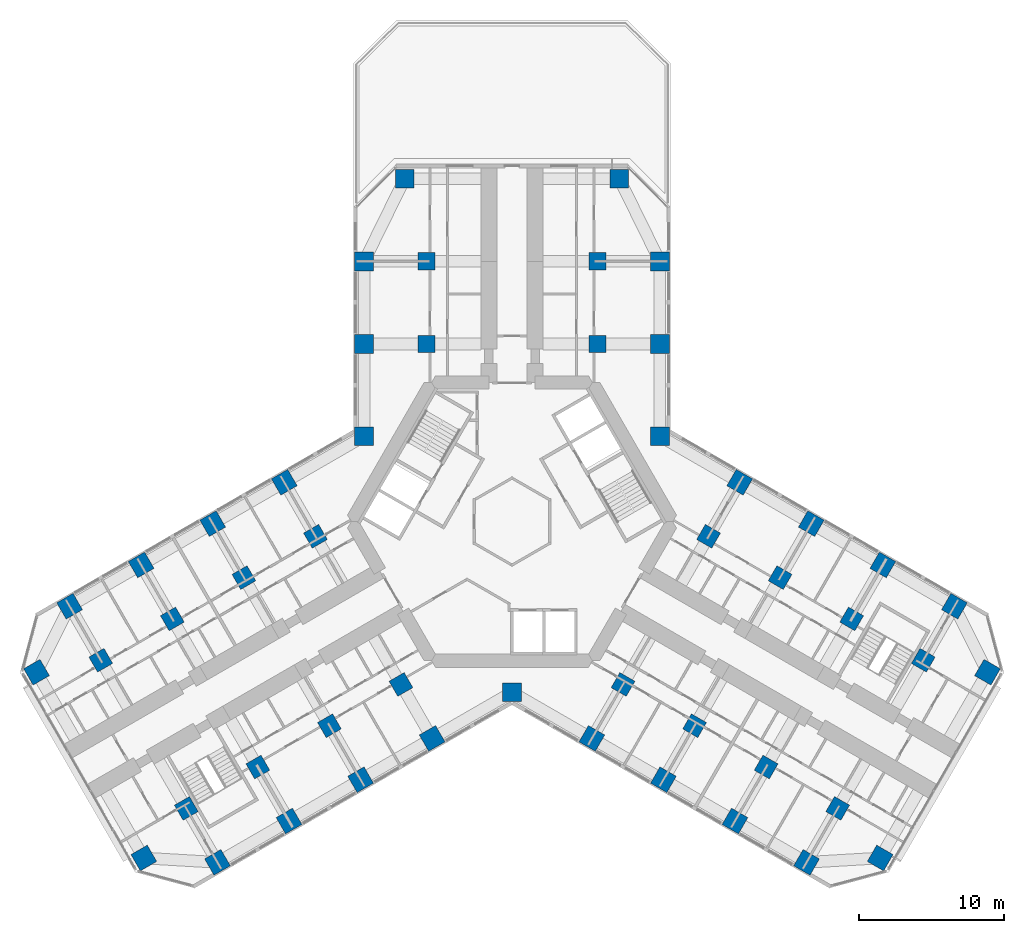
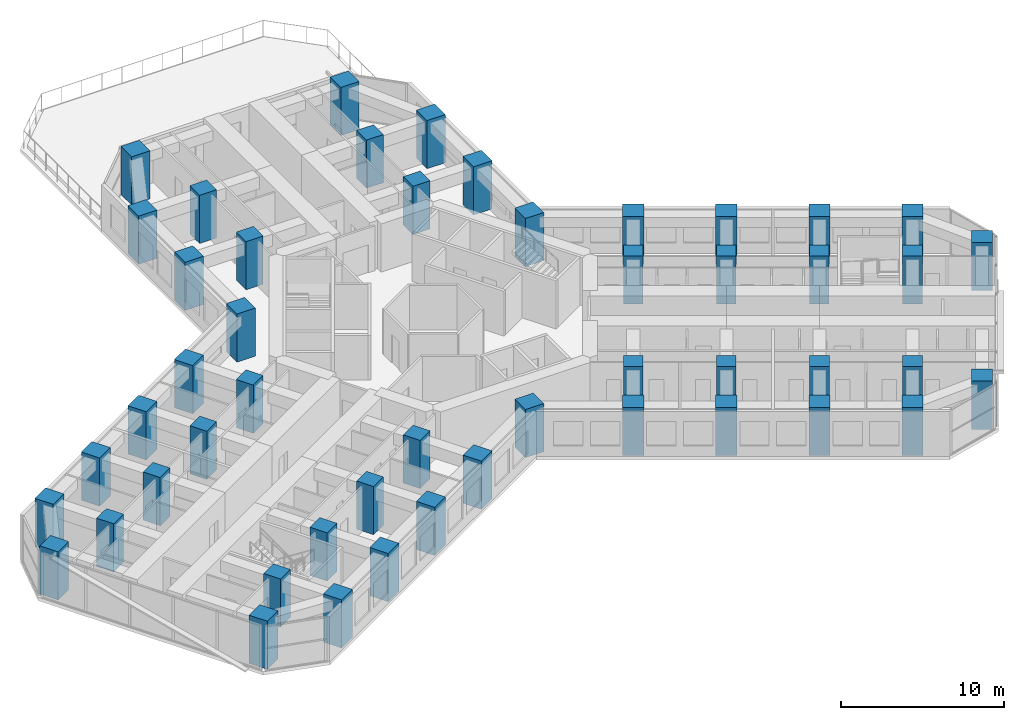
# One storey, part 1 of 19: 49 columns.
"""IFC4 building model written with IfcOpenShell, lengths in metres."""

from ifc_helpers import new_model, si_unit, direction, frame, origin, origin_2d, place, context, subcontext, project, spatial, rectangle, extrude, material, material_profile, profile_set, type_object, element, save


model = new_model("IFC4")

# Units and contexts
model_context = context("Model", 3, precision=1e-05, world=origin(), true_north=direction((0.0, 1.0)))
body_context = subcontext(model_context, "Body", "Model", "MODEL_VIEW")
ifc_project = project(units=[si_unit("LENGTHUNIT", "METRE"), si_unit("AREAUNIT", "SQUARE_METRE"), si_unit("VOLUMEUNIT", "CUBIC_METRE"), si_unit("PLANEANGLEUNIT", "RADIAN"), si_unit("MASSUNIT", "GRAM", prefix="KILO")], contexts=[model_context])

# Site, building, storey
site_placement = place(None, origin())
site = spatial("IfcSite", under=ifc_project, at=site_placement, CompositionType="ELEMENT")
building_placement = place(site_placement, origin())
building = spatial("IfcBuilding", under=site, at=building_placement, Name="Kosmar Iwan School Tower", CompositionType="ELEMENT")
storey_placement = place(building_placement, frame((0.0, 0.0, 120.199951171875)))
storey = spatial("IfcBuildingStorey", under=building, at=storey_placement, Name="L29", CompositionType="ELEMENT", Elevation=120.199951171875)

# Columns
ifc_material_1 = material(Name="Concrete C50/60", Category="concrete")
ifc_material_profile_1 = material_profile(ifc_material_1, rectangle(XDim=1.300048828125, YDim=1.300048828125, at=origin_2d()), Name="RC 1300x1300 + HD 400x634")
ifc_profile_set_1 = profile_set([ifc_material_profile_1], Name="Concrete C50/60")
column_type_1 = type_object("IfcColumnType", Name="Composite column 1300x1300 HD 400x634", PredefinedType="COLUMN", material=ifc_profile_set_1)
for number, where, z_axis, x_axis, name in (
    (1, (-10.199951171875, 12.25, 0.0), (0.0, 0.0, 1.0), (0.0, 1.0, 0.0), "Column AL1 L29"),
    (2, (-10.199951171875, 17.949951171875, 0.0), (0.0, 0.0, 1.0), (0.0, 1.0, 0.0), "Column AL2 L29"),
    (3, (-7.39990234375, 23.64990234375, 0.0), (0.0, 0.0, 1.0), (0.0, 1.0, 0.0), "Column ALTIP L29"),
    (4, (10.199951171875, 12.25, 0.0), (0.0, 0.0, 1.0), (0.0, 1.0, 0.0), "Column AR1 L29"),
    (5, (10.199951171875, 17.949951171875, 0.0), (0.0, 0.0, 1.0), (0.0, 1.0, 0.0), "Column AR2 L29"),
    (6, (7.39990234375, 23.64990234375, 0.0), (0.0, 0.0, 1.0), (0.0, 1.0, 0.0), "Column ARTIP L29"),
    (7, (-5.5087890625, -14.95849609375, 0.0), (0.0, 0.0, 1.0), (-0.866025403784, -0.5, 0.0), "Column BL1 L29"),
    (8, (-10.445068359375, -17.808349609375, 0.0), (0.0, 0.0, 1.0), (-0.866025403784, -0.5, 0.0), "Column BL2 L29"),
    (9, (-15.381591796875, -20.658447265625, 0.0), (0.0, 0.0, 1.0), (-0.866025403784, -0.5, 0.0), "Column BL3 L29"),
    (10, (-20.31787109375, -23.508544921875, 0.0), (0.0, 0.0, 1.0), (-0.866025403784, -0.5, 0.0), "Column BL4 L29"),
    (11, (-25.3984375, -23.20849609375, 0.0), (0.0, 0.0, 1.0), (-0.866025403784, -0.5, 0.0), "Column BLTIP L29"),
    (12, (-15.708740234375, 2.70849609375, 0.0), (0.0, 0.0, 1.0), (-0.866025403784, -0.5, 0.0), "Column BR1 L29"),
    (13, (-20.645263671875, -0.1416015625, 0.0), (0.0, 0.0, 1.0), (-0.866025403784, -0.5, 0.0), "Column BR2 L29"),
    (14, (-25.58154296875, -2.991455078125, 0.0), (0.0, 0.0, 1.0), (-0.866025403784, -0.5, 0.0), "Column BR3 L29"),
    (15, (-30.517822265625, -5.841552734375, 0.0), (0.0, 0.0, 1.0), (-0.866025403784, -0.5, 0.0), "Column BR4 L29"),
    (16, (-32.79833984375, -10.391357421875, 0.0), (0.0, 0.0, 1.0), (-0.866025403784, -0.5, 0.0), "Column BRTIP L29"),
    (17, (15.708740234375, 2.70849609375, 0.0), (0.0, 0.0, 1.0), (0.866025403784, -0.5, 0.0), "Column CL1 L29"),
    (18, (20.645263671875, -0.1416015625, 0.0), (0.0, 0.0, 1.0), (0.866025403784, -0.5, 0.0), "Column CL2 L29"),
    (19, (25.58154296875, -2.991455078125, 0.0), (0.0, 0.0, 1.0), (0.866025403784, -0.5, 0.0), "Column CL3 L29"),
    (20, (30.517822265625, -5.841552734375, 0.0), (0.0, 0.0, 1.0), (0.866025403784, -0.5, 0.0), "Column CL4 L29"),
    (21, (32.79833984375, -10.391357421875, 0.0), (0.0, 0.0, 1.0), (0.866025403784, -0.5, 0.0), "Column CLTIP L29"),
    (22, (5.5087890625, -14.95849609375, 0.0), (0.0, 0.0, 1.0), (0.866025403784, -0.5, 0.0), "Column CR1 L29"),
    (23, (10.445068359375, -17.808349609375, 0.0), (0.0, 0.0, 1.0), (0.866025403784, -0.5, 0.0), "Column CR2 L29"),
    (24, (15.381591796875, -20.658447265625, 0.0), (0.0, 0.0, 1.0), (0.866025403784, -0.5, 0.0), "Column CR3 L29"),
    (25, (20.31787109375, -23.508544921875, 0.0), (0.0, 0.0, 1.0), (0.866025403784, -0.5, 0.0), "Column CR4 L29"),
    (26, (25.3984375, -23.20849609375, 0.0), (0.0, 0.0, 1.0), (0.866025403784, -0.5, 0.0), "Column CRTIP L29"),
    (27, (-10.199951171875, 5.888916015625, 0.0), (0.0, 0.0, 1.0), (1.0, 0.0, 0.0), "Column RAB L29"),
    (28, (10.199951171875, 5.888916015625, 0.0), (0.0, 0.0, 1.0), (1.0, 0.0, 0.0), "Column RAC L29"),
    (29, (0.0, -11.77783203125, 0.0), (0.0, 0.0, 1.0), (1.0, 0.0, 0.0), "Column RBC L29"),
):
    element("IfcColumn", number, at=place(storey_placement, frame(where, z_axis=z_axis, x_axis=x_axis)), inside=storey, type_object=column_type_1, Name=name, PredefinedType="COLUMN", context=body_context, shape_type="SweptSolid", body=[
        extrude(rectangle(XDim=1.300048828125, YDim=1.300048828125, at=origin_2d()), origin(), (0.0, 0.0, 1.0), 3.60009765625),
    ])
ifc_material_2 = material(Name="Concrete C50/60", Category="concrete")
ifc_material_profile_2 = material_profile(ifc_material_2, rectangle(XDim=1.199951171875, YDim=1.199951171875, at=origin_2d()), Name="RC 1200x1200")
ifc_profile_set_2 = profile_set([ifc_material_profile_2], Name="Concrete C50/60")
column_type_2 = type_object("IfcColumnType", Name="RC interior column 1200x1200", PredefinedType="COLUMN", material=ifc_profile_set_2)
for number, where, z_axis, x_axis, name in (
    (30, (-5.89990234375, 12.25, 0.0), (0.0, 0.0, 1.0), (0.0, 1.0, 0.0), "Interior column ALI1 L29"),
    (31, (-5.89990234375, 17.949951171875, 0.0), (0.0, 0.0, 1.0), (0.0, 1.0, 0.0), "Interior column ALI2 L29"),
    (32, (5.89990234375, 12.25, 0.0), (0.0, 0.0, 1.0), (0.0, 1.0, 0.0), "Interior column ARI1 L29"),
    (33, (5.89990234375, 17.949951171875, 0.0), (0.0, 0.0, 1.0), (0.0, 1.0, 0.0), "Interior column ARI2 L29"),
    (34, (-7.65869140625, -11.234619140625, 0.0), (0.0, 0.0, 1.0), (-0.866025403784, -0.5, 0.0), "Interior column BLI1 L29"),
    (35, (-12.59521484375, -14.08447265625, 0.0), (0.0, 0.0, 1.0), (-0.866025403784, -0.5, 0.0), "Interior column BLI2 L29"),
    (36, (-17.531494140625, -16.9345703125, 0.0), (0.0, 0.0, 1.0), (-0.866025403784, -0.5, 0.0), "Interior column BLI3 L29"),
    (37, (-22.4677734375, -19.78466796875, 0.0), (0.0, 0.0, 1.0), (-0.866025403784, -0.5, 0.0), "Interior column BLI4 L29"),
    (38, (-13.558837890625, -1.015380859375, 0.0), (0.0, 0.0, 1.0), (-0.866025403784, -0.5, 0.0), "Interior column BRI1 L29"),
    (39, (-18.4951171875, -3.865478515625, 0.0), (0.0, 0.0, 1.0), (-0.866025403784, -0.5, 0.0), "Interior column BRI2 L29"),
    (40, (-23.431396484375, -6.71533203125, 0.0), (0.0, 0.0, 1.0), (-0.866025403784, -0.5, 0.0), "Interior column BRI3 L29"),
    (41, (-28.367919921875, -9.5654296875, 0.0), (0.0, 0.0, 1.0), (-0.866025403784, -0.5, 0.0), "Interior column BRI4 L29"),
    (42, (13.558837890625, -1.015380859375, 0.0), (0.0, 0.0, 1.0), (0.866025403784, -0.5, 0.0), "Interior column CLI1 L29"),
    (43, (18.4951171875, -3.865478515625, 0.0), (0.0, 0.0, 1.0), (0.866025403784, -0.5, 0.0), "Interior column CLI2 L29"),
    (44, (23.431396484375, -6.71533203125, 0.0), (0.0, 0.0, 1.0), (0.866025403784, -0.5, 0.0), "Interior column CLI3 L29"),
    (45, (28.367919921875, -9.5654296875, 0.0), (0.0, 0.0, 1.0), (0.866025403784, -0.5, 0.0), "Interior column CLI4 L29"),
    (46, (7.65869140625, -11.234619140625, 0.0), (0.0, 0.0, 1.0), (0.866025403784, -0.5, 0.0), "Interior column CRI1 L29"),
    (47, (12.59521484375, -14.08447265625, 0.0), (0.0, 0.0, 1.0), (0.866025403784, -0.5, 0.0), "Interior column CRI2 L29"),
    (48, (17.531494140625, -16.9345703125, 0.0), (0.0, 0.0, 1.0), (0.866025403784, -0.5, 0.0), "Interior column CRI3 L29"),
    (49, (22.4677734375, -19.78466796875, 0.0), (0.0, 0.0, 1.0), (0.866025403784, -0.5, 0.0), "Interior column CRI4 L29"),
):
    element("IfcColumn", number, at=place(storey_placement, frame(where, z_axis=z_axis, x_axis=x_axis)), inside=storey, type_object=column_type_2, Name=name, PredefinedType="COLUMN", context=body_context, shape_type="SweptSolid", body=[
        extrude(rectangle(XDim=1.199951171875, YDim=1.199951171875, at=origin_2d()), origin(), (0.0, 0.0, 1.0), 3.60009765625),
    ])

save(model, "model.ifc")
